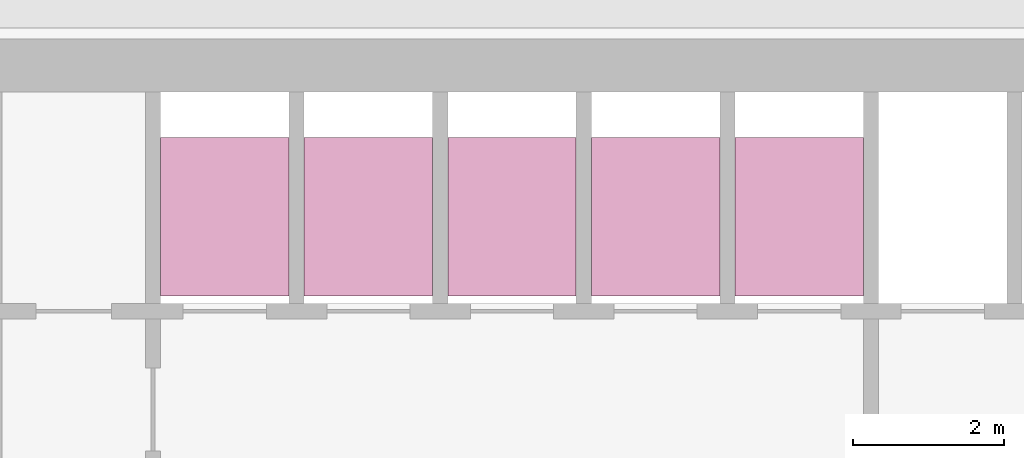
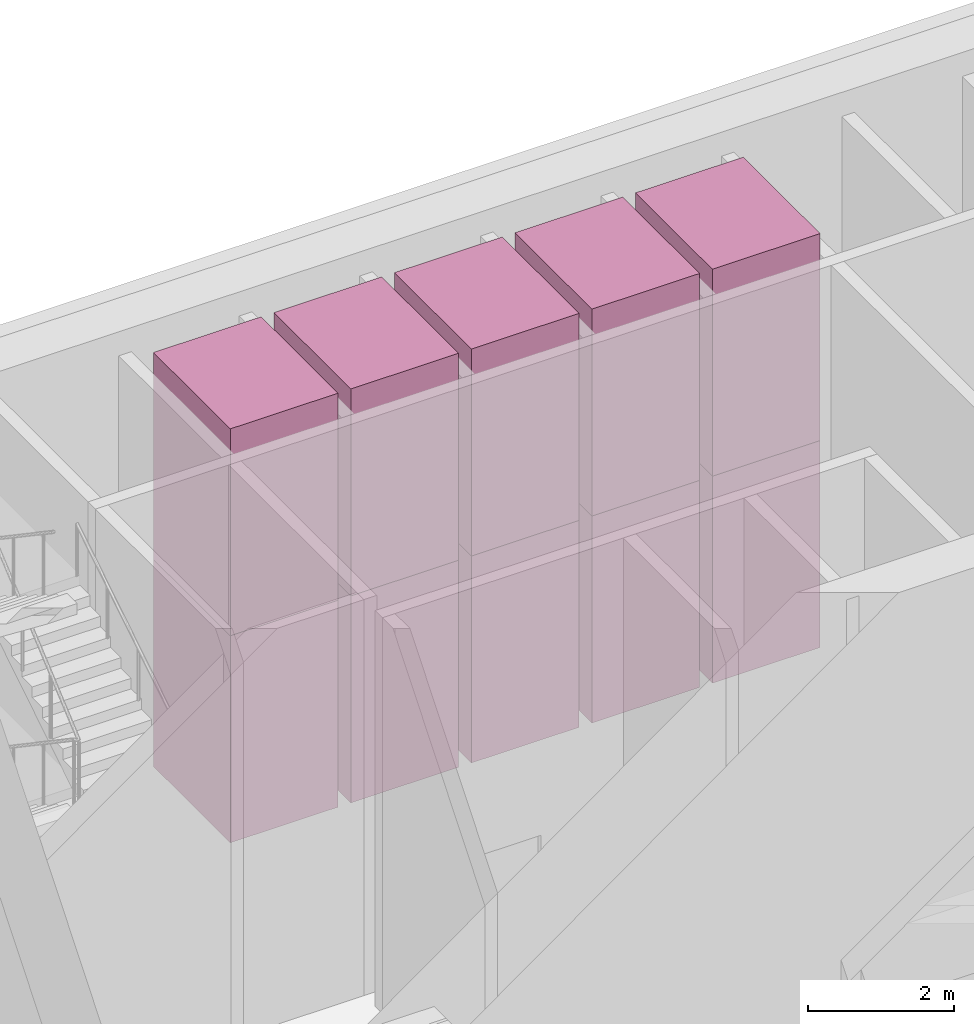
# One storey, part 6 of 6: 10 transport elements.
"""IFC4 building model written with IfcOpenShell, lengths in metres."""

from ifc_helpers import new_model, si_unit, direction, frame, origin, origin_2d, place, context, subcontext, project, spatial, rectangle, extrude, material, type_object, element, save


model = new_model("IFC4")

# Units and contexts
model_context = context("Model", 3, precision=1e-05, world=origin(), true_north=direction((0.0, 1.0)))
body_context = subcontext(model_context, "Body", "Model", "MODEL_VIEW")
ifc_project = project(units=[si_unit("LENGTHUNIT", "METRE"), si_unit("AREAUNIT", "SQUARE_METRE"), si_unit("VOLUMEUNIT", "CUBIC_METRE"), si_unit("PLANEANGLEUNIT", "RADIAN"), si_unit("MASSUNIT", "GRAM", prefix="KILO")], contexts=[model_context])

# Site, building, storey
site_placement = place(None, origin())
site = spatial("IfcSite", under=ifc_project, at=site_placement, CompositionType="ELEMENT")
building_placement = place(site_placement, origin())
building = spatial("IfcBuilding", under=site, at=building_placement, Name="Altiplano Prism Tower", CompositionType="ELEMENT")
storey_placement = place(building_placement, frame((0.0, 0.0, 212.39990234375)))
storey = spatial("IfcBuildingStorey", under=building, at=storey_placement, Name="L55", CompositionType="ELEMENT", Elevation=212.39990234375)

# Transport elements
ifc_material = material(Name="Stainless steel lift car", Category="steel")
transport_element_type = type_object("IfcTransportElementType", Name="Passenger lift car 1600 x 2100", PredefinedType="ELEVATOR", material=ifc_material)
for number, where, z_axis, x_axis, name in (
    (1, (79.050048828125, 101.75, 0.05029296875), (0.0, 0.0, 1.0), (1.0, 0.0, 0.0), "Mid Zone Passenger Lift 1"),
    (2, (79.050048828125, 101.75, 3.5), (0.0, 0.0, 1.0), (1.0, 0.0, 0.0), "Mid Zone Passenger Lift 1"),
    (3, (80.949951171875, 101.75, 0.05029296875), (0.0, 0.0, 1.0), (1.0, 0.0, 0.0), "Mid Zone Passenger Lift 2"),
    (4, (80.949951171875, 101.75, 3.5), (0.0, 0.0, 1.0), (1.0, 0.0, 0.0), "Mid Zone Passenger Lift 2"),
    (5, (82.85009765625, 101.75, 0.05029296875), (0.0, 0.0, 1.0), (1.0, 0.0, 0.0), "Mid Zone Passenger Lift 3"),
    (6, (82.85009765625, 101.75, 3.5), (0.0, 0.0, 1.0), (1.0, 0.0, 0.0), "Mid Zone Passenger Lift 3"),
    (7, (84.75, 101.75, 0.05029296875), (0.0, 0.0, 1.0), (1.0, 0.0, 0.0), "Mid Zone Passenger Lift 4"),
    (8, (84.75, 101.75, 3.5), (0.0, 0.0, 1.0), (1.0, 0.0, 0.0), "Mid Zone Passenger Lift 4"),
    (9, (86.64990234375, 101.75, 0.05029296875), (0.0, 0.0, 1.0), (1.0, 0.0, 0.0), "Mid Zone Passenger Lift 5"),
    (10, (86.64990234375, 101.75, 3.5), (0.0, 0.0, 1.0), (1.0, 0.0, 0.0), "Mid Zone Passenger Lift 5"),
):
    element("IfcTransportElement", number, at=place(storey_placement, frame(where, z_axis=z_axis, x_axis=x_axis)), inside=storey, type_object=transport_element_type, Name=name, PredefinedType="ELEVATOR", context=body_context, shape_type="SweptSolid", body=[
        extrude(rectangle(XDim=1.699951171875, YDim=2.10009765625, at=origin_2d()), origin(), (0.0, 0.0, 1.0), 3.449951171875),
    ])

save(model, "model.ifc")
